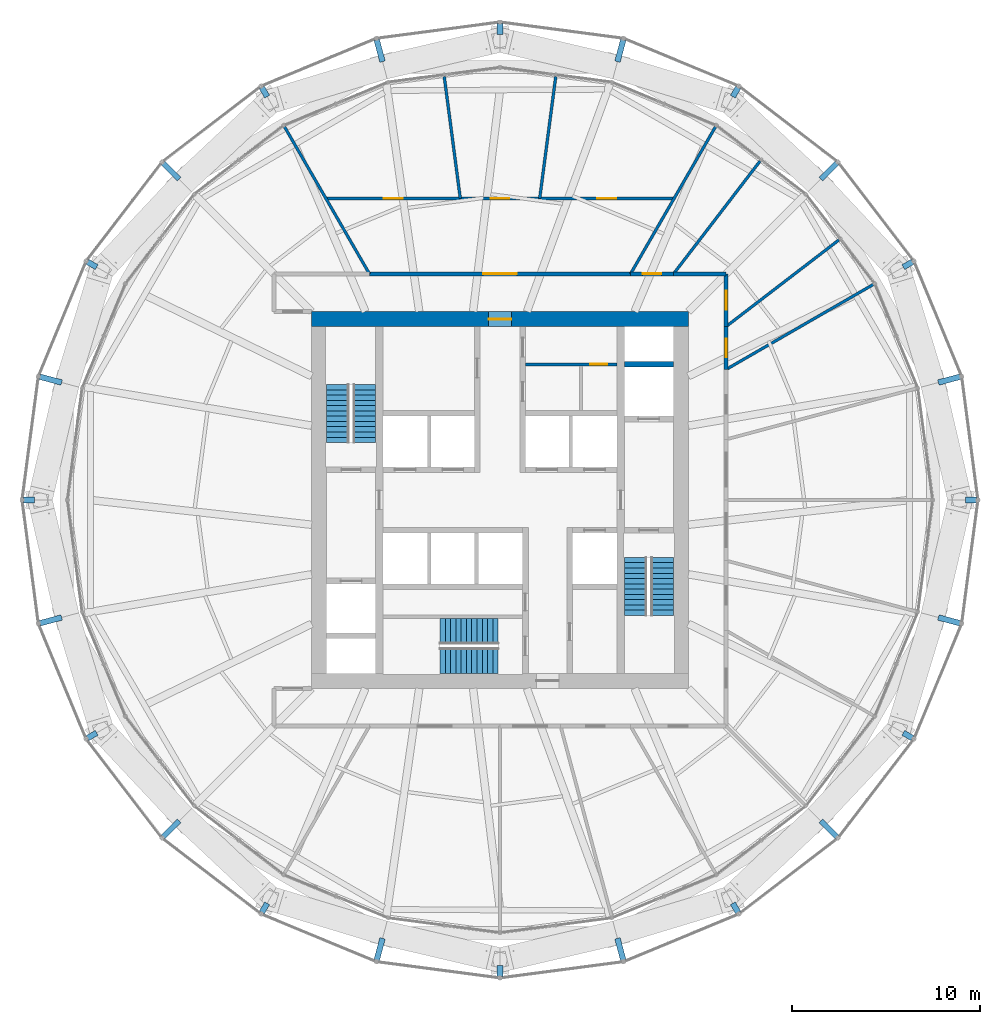
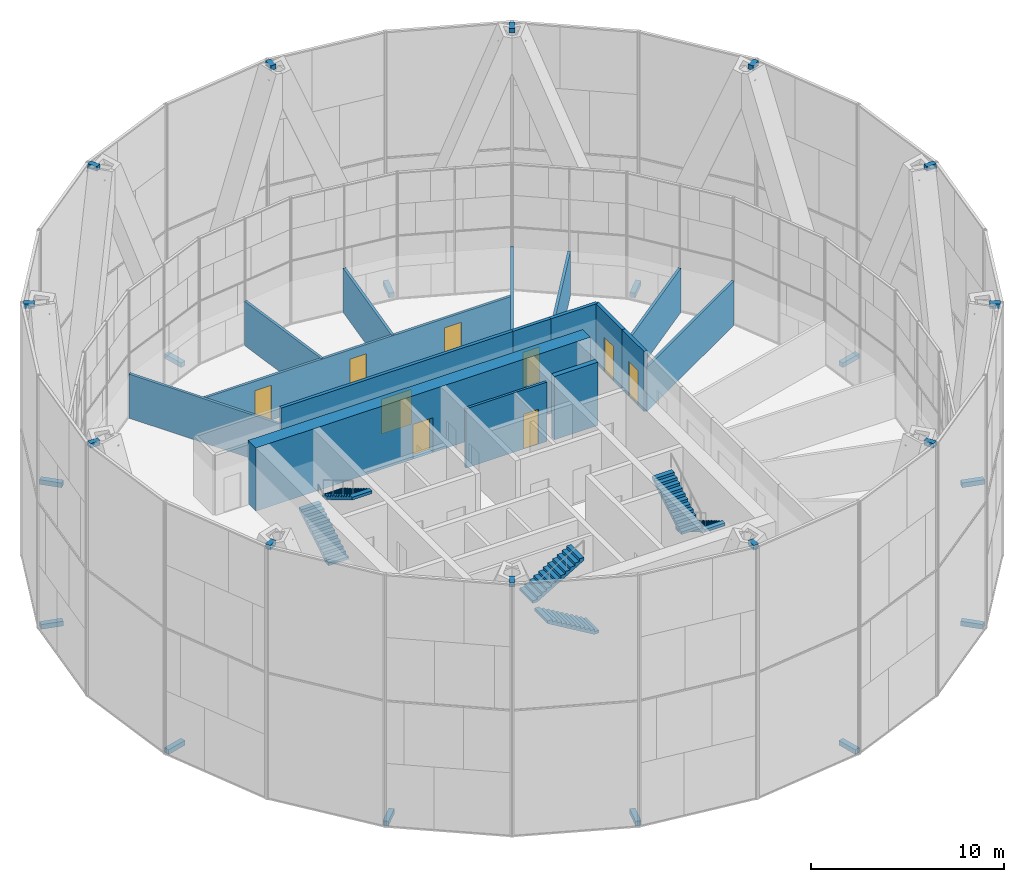
# One storey, part 21 of 22: 24 discrete accessories, 16 walls, 9 doors, 6 stair flights, 9 openings, 3 elements without a shape of their own.
"""IFC4 building model written with IfcOpenShell, lengths in metres."""

from ifc_helpers import new_model, si_unit, direction, frame, frame_2d, origin, origin_2d, place, context, subcontext, project, spatial, polyline, rectangle, outline, extrude, material, layer, layer_set, type_object, element, fill, aggregate, save


model = new_model("IFC4")

# Units and contexts
model_context = context("Model", 3, precision=1e-05, world=origin(), true_north=direction((0.0, 1.0)))
body_context = subcontext(model_context, "Body", "Model", "MODEL_VIEW")
ifc_project = project(units=[si_unit("LENGTHUNIT", "METRE"), si_unit("AREAUNIT", "SQUARE_METRE"), si_unit("VOLUMEUNIT", "CUBIC_METRE"), si_unit("PLANEANGLEUNIT", "RADIAN"), si_unit("MASSUNIT", "GRAM", prefix="KILO")], contexts=[model_context])

# Site, building, storey
site_placement = place(None, origin())
site = spatial("IfcSite", under=ifc_project, at=site_placement, CompositionType="ELEMENT")
building_placement = place(site_placement, origin())
building = spatial("IfcBuilding", under=site, at=building_placement, Name="Golbaran Civic Tower", CompositionType="ELEMENT")
storey_placement = place(building_placement, frame((0.0, 0.0, 37.0)))
storey = spatial("IfcBuildingStorey", under=building, at=storey_placement, Name="L08", CompositionType="ELEMENT", Elevation=37.0)

# Wall, opening, door
ifc_material_1 = material(Name="Concrete block", Category="concrete")
ifc_layer_1 = layer(ifc_material_1, 0.14990234375, Name="Concrete block")
ifc_layer_set_1 = layer_set([ifc_layer_1], Name="Concrete block")
wall_type_1 = type_object("IfcWallType", Name="BLOCKWORK PARTITION 150", PredefinedType="PARTITIONING", material=ifc_layer_set_1)
wall_1_placement = place(storey_placement, frame((1.35009765625, 7.199951171875, 0.0), z_axis=(0.0, 0.0, 1.0), x_axis=(1.0, 0.0, 0.0)))
wall_1 = element("IfcWall", 1, at=wall_1_placement, inside=storey, type_object=wall_type_1, Name="Toilet block partition TN1 L08", PredefinedType="PARTITIONING", context=body_context, shape_type="SweptSolid", body=[
    extrude(rectangle(XDim=4.849853515625, YDim=0.14990234375, at=frame_2d((2.4248046875, 0.0))), origin(), (0.0, 0.0, 1.0), 3.75),
])
opening_1_placement = place(wall_1_placement, frame((3.449951171875, 0.0, 0.0)))
opening_1 = element("IfcOpeningElement", 2, at=opening_1_placement, cuts=wall_1, Name="Opening L08.CLN", PredefinedType="OPENING", context=body_context, shape_type="SweptSolid", body=[
    extrude(rectangle(XDim=0.89990234375, YDim=2.199951171875, at=frame_2d((0.449951171875, 1.10009765625))), frame((0.0, 0.0849609375, 0.0), z_axis=(0.0, -1.0, 0.0), x_axis=(1.0, 0.0, 0.0)), (0.0, 0.0, 1.0), 0.169921875),
])
ifc_material_2 = material(Name="Timber door set in steel frame", Category="steel")
door_type_1 = type_object("IfcDoorType", Name="RISER DOOR 900x2200", OperationType="SINGLE_SWING_LEFT", PredefinedType="DOOR", material=ifc_material_2)
door_1_placement = place(opening_1_placement, origin())
door_1 = element("IfcDoor", 3, at=door_1_placement, inside=storey, type_object=door_type_1, Name="Housekeeping Store door", OperationType="SINGLE_SWING_RIGHT", OverallHeight=2.199951171875, OverallWidth=0.89990234375, PredefinedType="DOOR", context=body_context, shape_type="SweptSolid", body=[
    extrude(rectangle(XDim=0.89990234375, YDim=2.199951171875, at=frame_2d((0.449951171875, 1.10009765625))), frame((0.0, 0.02490234375, 0.0), z_axis=(0.0, -1.0, 0.0), x_axis=(1.0, 0.0, 0.0)), (0.0, 0.0, 1.0), 0.050048828125),
])
fill(opening_1, door_1)

ifc_material_3 = material(Name="Concrete C50/60", Category="concrete")
ifc_layer_2 = layer(ifc_material_3, 0.800048828125, Name="Concrete C50/60")
ifc_layer_set_2 = layer_set([ifc_layer_2], Name="Concrete C50/60")
wall_type_2 = type_object("IfcWallType", Name="CORE WALL CONCRETE 800", PredefinedType="SOLIDWALL", material=ifc_layer_set_2)
wall_2_placement = place(storey_placement, frame((-10.0, 9.60009765625, 0.0), z_axis=(0.0, 0.0, 1.0), x_axis=(1.0, 0.0, 0.0)))
wall_2 = element("IfcWall", 4, at=wall_2_placement, inside=storey, type_object=wall_type_2, Name="Core wall CN L08", PredefinedType="SOLIDWALL", context=body_context, shape_type="SweptSolid", body=[
    extrude(rectangle(XDim=20.0, YDim=0.800048828125, at=frame_2d((10.0, 0.0))), origin(), (0.0, 0.0, 1.0), 4.0),
])
opening_2_placement = place(wall_2_placement, frame((9.39990234375, 0.0, 0.0)))
opening_2 = element("IfcOpeningElement", 5, at=opening_2_placement, cuts=wall_2, Name="Opening L08.CN", PredefinedType="OPENING", context=body_context, shape_type="SweptSolid", body=[
    extrude(rectangle(XDim=1.199951171875, YDim=2.199951171875, at=frame_2d((0.60009765625, 1.10009765625))), frame((0.0, 0.409912109375, 0.0), z_axis=(0.0, -1.0, 0.0), x_axis=(1.0, 0.0, 0.0)), (0.0, 0.0, 1.0), 0.820068359375),
])
door_type_2 = type_object("IfcDoorType", Name="CORE DOOR 1200x2200", OperationType="DOUBLE_DOOR_SINGLE_SWING", PredefinedType="DOOR", material=ifc_material_2)
door_2_placement = place(opening_2_placement, origin())
door_2 = element("IfcDoor", 6, at=door_2_placement, inside=storey, type_object=door_type_2, Name="Core door north", OperationType="DOUBLE_DOOR_SINGLE_SWING", OverallHeight=2.199951171875, OverallWidth=1.199951171875, PredefinedType="DOOR", context=body_context, shape_type="SweptSolid", body=[
    extrude(rectangle(XDim=1.199951171875, YDim=2.199951171875, at=frame_2d((0.60009765625, 1.10009765625))), frame((0.0, 0.02490234375, 0.0), z_axis=(0.0, -1.0, 0.0), x_axis=(1.0, 0.0, 0.0)), (0.0, 0.0, 1.0), 0.050048828125),
])
fill(opening_2, door_2)

ifc_material_4 = material(Name="Gypsum board on steel studs, fire-rated", Category="steel")
ifc_layer_3 = layer(ifc_material_4, 0.199951171875, Name="Gypsum board on steel studs, fire-rated")
ifc_layer_set_3 = layer_set([ifc_layer_3], Name="Gypsum board on steel studs, fire-rated")
wall_type_3 = type_object("IfcWallType", Name="CORRIDOR WALL 200", PredefinedType="PARTITIONING", material=ifc_layer_set_3)
wall_3_placement = place(storey_placement, frame((12.0, 6.92822265625, 0.0), z_axis=(0.0, 0.0, 1.0), x_axis=(0.0, 1.0, 0.0)))
wall_3 = element("IfcWall", 7, at=wall_3_placement, inside=storey, type_object=wall_type_3, Name="Corridor wall L08", PredefinedType="PARTITIONING", context=body_context, shape_type="SweptSolid", body=[
    extrude(rectangle(XDim=2.27978515625, YDim=0.199951171875, at=frame_2d((1.139892578125, 0.0))), origin(), (0.0, 0.0, 1.0), 3.800048828125),
])
opening_3_placement = place(wall_3_placement, frame((0.639892578125, 0.0, 0.0)))
opening_3 = element("IfcOpeningElement", 8, at=opening_3_placement, cuts=wall_3, Name="Opening L08.08", PredefinedType="OPENING", context=body_context, shape_type="SweptSolid", body=[
    extrude(rectangle(XDim=1.0, YDim=2.199951171875, at=frame_2d((0.5, 1.10009765625))), frame((0.0, 0.10986328125, 0.0), z_axis=(0.0, -1.0, 0.0), x_axis=(1.0, 0.0, 0.0)), (0.0, 0.0, 1.0), 0.219970703125),
])
door_type_3 = type_object("IfcDoorType", Name="OFFICE DOOR 1000x2200", OperationType="SINGLE_SWING_LEFT", PredefinedType="DOOR", material=ifc_material_2)
door_3_placement = place(opening_3_placement, origin())
door_3 = element("IfcDoor", 9, at=door_3_placement, inside=storey, type_object=door_type_3, Name="Pantry door L08", OperationType="SINGLE_SWING_LEFT", OverallHeight=2.199951171875, OverallWidth=1.0, PredefinedType="DOOR", context=body_context, shape_type="SweptSolid", body=[
    extrude(rectangle(XDim=1.0, YDim=2.199951171875, at=frame_2d((0.5, 1.10009765625))), frame((0.0, 0.02490234375, 0.0), z_axis=(0.0, -1.0, 0.0), x_axis=(1.0, 0.0, 0.0)), (0.0, 0.0, 1.0), 0.050048828125),
])
fill(opening_3, door_3)

wall_4_placement = place(storey_placement, frame((12.0, 9.2080078125, 0.0), z_axis=(0.0, 0.0, 1.0), x_axis=(0.0, 1.0, 0.0)))
wall_4 = element("IfcWall", 10, at=wall_4_placement, inside=storey, type_object=wall_type_3, Name="Corridor wall L08", PredefinedType="PARTITIONING", context=body_context, shape_type="SweptSolid", body=[
    extrude(rectangle(XDim=2.7919921875, YDim=0.199951171875, at=frame_2d((1.39599609375, 0.0))), origin(), (0.0, 0.0, 1.0), 3.800048828125),
])
opening_4_placement = place(wall_4_placement, frame((0.89599609375, 0.0, 0.0)))
opening_4 = element("IfcOpeningElement", 11, at=opening_4_placement, cuts=wall_4, Name="Opening L08.09", PredefinedType="OPENING", context=body_context, shape_type="SweptSolid", body=[
    extrude(rectangle(XDim=1.0, YDim=2.199951171875, at=frame_2d((0.5, 1.10009765625))), frame((0.0, 0.10986328125, 0.0), z_axis=(0.0, -1.0, 0.0), x_axis=(1.0, 0.0, 0.0)), (0.0, 0.0, 1.0), 0.219970703125),
])
door_4_placement = place(opening_4_placement, origin())
door_4 = element("IfcDoor", 12, at=door_4_placement, inside=storey, type_object=door_type_3, Name="Prayer Room door L08", OperationType="SINGLE_SWING_LEFT", OverallHeight=2.199951171875, OverallWidth=1.0, PredefinedType="DOOR", context=body_context, shape_type="SweptSolid", body=[
    extrude(rectangle(XDim=1.0, YDim=2.199951171875, at=frame_2d((0.5, 1.10009765625))), frame((0.0, 0.02490234375, 0.0), z_axis=(0.0, -1.0, 0.0), x_axis=(1.0, 0.0, 0.0)), (0.0, 0.0, 1.0), 0.050048828125),
])
fill(opening_4, door_4)

# Wall
wall_5_placement = place(storey_placement, frame((12.0, 12.0, 0.0), z_axis=(0.0, 0.0, 1.0), x_axis=(-1.0, 0.0, 0.0)))
element("IfcWall", 13, at=wall_5_placement, inside=storey, type_object=wall_type_3, Name="Corridor wall L08", PredefinedType="PARTITIONING", context=body_context, shape_type="SweptSolid", body=[
    extrude(rectangle(XDim=2.7919921875, YDim=0.199951171875, at=frame_2d((1.39599609375, 0.0))), origin(), (0.0, 0.0, 1.0), 3.800048828125),
])

# Wall, opening, door
wall_6_placement = place(storey_placement, frame((9.2080078125, 12.0, 0.0), z_axis=(0.0, 0.0, 1.0), x_axis=(-1.0, 0.0, 0.0)))
wall_6 = element("IfcWall", 14, at=wall_6_placement, inside=storey, type_object=wall_type_3, Name="Corridor wall L08", PredefinedType="PARTITIONING", context=body_context, shape_type="SweptSolid", body=[
    extrude(rectangle(XDim=2.27978515625, YDim=0.199951171875, at=frame_2d((1.139892578125, 0.0))), origin(), (0.0, 0.0, 1.0), 3.800048828125),
])
opening_5_placement = place(wall_6_placement, frame((0.639892578125, 0.0, 0.0)))
opening_5 = element("IfcOpeningElement", 15, at=opening_5_placement, cuts=wall_6, Name="Opening L08.10", PredefinedType="OPENING", context=body_context, shape_type="SweptSolid", body=[
    extrude(rectangle(XDim=1.0, YDim=2.199951171875, at=frame_2d((0.5, 1.10009765625))), frame((0.0, 0.10986328125, 0.0), z_axis=(0.0, -1.0, 0.0), x_axis=(1.0, 0.0, 0.0)), (0.0, 0.0, 1.0), 0.219970703125),
])
door_5_placement = place(opening_5_placement, origin())
door_5 = element("IfcDoor", 16, at=door_5_placement, inside=storey, type_object=door_type_3, Name="Store door L08", OperationType="SINGLE_SWING_RIGHT", OverallHeight=2.199951171875, OverallWidth=1.0, PredefinedType="DOOR", context=body_context, shape_type="SweptSolid", body=[
    extrude(rectangle(XDim=1.0, YDim=2.199951171875, at=frame_2d((0.5, 1.10009765625))), frame((0.0, 0.02490234375, 0.0), z_axis=(0.0, -1.0, 0.0), x_axis=(1.0, 0.0, 0.0)), (0.0, 0.0, 1.0), 0.050048828125),
])
fill(opening_5, door_5)

wall_7_placement = place(storey_placement, frame((6.92822265625, 12.0, 0.0), z_axis=(0.0, 0.0, 1.0), x_axis=(-1.0, 0.0, 0.0)))
wall_7 = element("IfcWall", 17, at=wall_7_placement, inside=storey, type_object=wall_type_3, Name="Corridor wall L08", PredefinedType="PARTITIONING", context=body_context, shape_type="SweptSolid", body=[
    extrude(rectangle(XDim=13.8564453125, YDim=0.199951171875, at=frame_2d((6.92822265625, 0.0))), origin(), (0.0, 0.0, 1.0), 3.800048828125),
])
opening_6_placement = place(wall_7_placement, frame((6.0283203125, 0.0, 0.0)))
opening_6 = element("IfcOpeningElement", 18, at=opening_6_placement, cuts=wall_7, Name="Opening L08.11", PredefinedType="OPENING", context=body_context, shape_type="SweptSolid", body=[
    extrude(rectangle(XDim=1.800048828125, YDim=2.199951171875, at=frame_2d((0.89990234375, 1.10009765625))), frame((0.0, 0.10986328125, 0.0), z_axis=(0.0, -1.0, 0.0), x_axis=(1.0, 0.0, 0.0)), (0.0, 0.0, 1.0), 0.219970703125),
])
door_type_4 = type_object("IfcDoorType", Name="OFFICE DOUBLE DOOR 1800x2200", OperationType="DOUBLE_DOOR_SINGLE_SWING", PredefinedType="DOOR", material=ifc_material_2)
door_6_placement = place(opening_6_placement, origin())
door_6 = element("IfcDoor", 19, at=door_6_placement, inside=storey, type_object=door_type_4, Name="Secretariat door L08", OperationType="DOUBLE_DOOR_SINGLE_SWING", OverallHeight=2.199951171875, OverallWidth=1.800048828125, PredefinedType="DOOR", context=body_context, shape_type="SweptSolid", body=[
    extrude(rectangle(XDim=1.800048828125, YDim=2.199951171875, at=frame_2d((0.89990234375, 1.10009765625))), frame((0.0, 0.02490234375, 0.0), z_axis=(0.0, -1.0, 0.0), x_axis=(1.0, 0.0, 0.0)), (0.0, 0.0, 1.0), 0.050048828125),
])
fill(opening_6, door_6)

# Walls
ifc_material_5 = material(Name="Gypsum board on steel studs", Category="steel")
ifc_layer_4 = layer(ifc_material_5, 0.14990234375, Name="Gypsum board on steel studs")
ifc_layer_set_4 = layer_set([ifc_layer_4], Name="Gypsum board on steel studs")
wall_type_4 = type_object("IfcWallType", Name="OFFICE PARTITION 150", PredefinedType="PARTITIONING", material=ifc_layer_set_4)
wall_8_placement = place(storey_placement, frame((12.0, 6.92822265625, 0.0), z_axis=(0.0, 0.0, 1.0), x_axis=(0.866027720199, 0.49999598783, 0.0)))
element("IfcWall", 20, at=wall_8_placement, inside=storey, type_object=wall_type_4, Name="Partition 30 L08", PredefinedType="PARTITIONING", context=body_context, shape_type="SweptSolid", body=[
    extrude(rectangle(XDim=9.013671875, YDim=0.14990234375, at=frame_2d((4.5068359375, 0.0))), origin(), (0.0, 0.0, 1.0), 2.7900390625),
])
for number, where, z_axis, x_axis, name in (
    (21, (12.0, 9.2080078125, 0.0), (0.0, 0.0, 1.0), (0.793358000229, 0.608755356011, 0.0), "Partition 37.5 L08"),
    (22, (9.2080078125, 12.0, 0.0), (0.0, 0.0, 1.0), (0.608755356011, 0.793358000229, 0.0), "Partition 52.5 L08"),
):
    element("IfcWall", number, at=place(storey_placement, frame(where, z_axis=z_axis, x_axis=x_axis)), inside=storey, type_object=wall_type_4, Name=name, PredefinedType="PARTITIONING", context=body_context, shape_type="SweptSolid", body=[
        extrude(rectangle(XDim=7.548828125, YDim=0.14990234375, at=frame_2d((3.7744140625, 0.0))), origin(), (0.0, 0.0, 1.0), 2.7900390625),
    ])
for number, where, z_axis, x_axis, name in (
    (23, (6.92822265625, 12.0, 0.0), (0.0, 0.0, 1.0), (0.49999598783, 0.866027720199, 0.0), "Partition 60 L08"),
    (24, (-6.92822265625, 12.0, 0.0), (0.0, 0.0, 1.0), (-0.49999598783, 0.866027720199, 0.0), "Partition 120 L08"),
):
    element("IfcWall", number, at=place(storey_placement, frame(where, z_axis=z_axis, x_axis=x_axis)), inside=storey, type_object=wall_type_4, Name=name, PredefinedType="PARTITIONING", context=body_context, shape_type="SweptSolid", body=[
        extrude(rectangle(XDim=9.013671875, YDim=0.14990234375, at=frame_2d((4.5068359375, 0.0))), origin(), (0.0, 0.0, 1.0), 2.7900390625),
    ])

# Wall, openings, doors
wall_9_placement = place(storey_placement, frame((9.237548828125, 16.0, 0.0), z_axis=(0.0, 0.0, 1.0), x_axis=(-1.0, 0.0, 0.0)))
wall_9 = element("IfcWall", 25, at=wall_9_placement, inside=storey, type_object=wall_type_4, Name="Suite partition L08", PredefinedType="PARTITIONING", context=body_context, shape_type="SweptSolid", body=[
    extrude(rectangle(XDim=18.47509765625, YDim=0.14990234375, at=frame_2d((9.237548828125, 0.0))), origin(), (0.0, 0.0, 1.0), 2.7900390625),
])
opening_7_placement = place(wall_9_placement, frame((3.065673828125, 0.0, 0.0)))
opening_7 = element("IfcOpeningElement", 26, at=opening_7_placement, cuts=wall_9, Name="Opening L08.01", PredefinedType="OPENING", context=body_context, shape_type="SweptSolid", body=[
    extrude(rectangle(XDim=1.0, YDim=2.199951171875, at=frame_2d((0.5, 1.10009765625))), frame((0.0, 0.0849609375, 0.0), z_axis=(0.0, -1.0, 0.0), x_axis=(1.0, 0.0, 0.0)), (0.0, 0.0, 1.0), 0.169921875),
])
opening_8_placement = place(wall_9_placement, frame((8.737548828125, 0.0, 0.0)))
opening_8 = element("IfcOpeningElement", 27, at=opening_8_placement, cuts=wall_9, Name="Opening L08.02", PredefinedType="OPENING", context=body_context, shape_type="SweptSolid", body=[
    extrude(rectangle(XDim=1.0, YDim=2.199951171875, at=frame_2d((0.5, 1.10009765625))), frame((0.0, 0.0849609375, 0.0), z_axis=(0.0, -1.0, 0.0), x_axis=(1.0, 0.0, 0.0)), (0.0, 0.0, 1.0), 0.169921875),
])
opening_9_placement = place(wall_9_placement, frame((14.40966796875, 0.0, 0.0)))
opening_9 = element("IfcOpeningElement", 28, at=opening_9_placement, cuts=wall_9, Name="Opening L08.03", PredefinedType="OPENING", context=body_context, shape_type="SweptSolid", body=[
    extrude(rectangle(XDim=1.0, YDim=2.199951171875, at=frame_2d((0.5, 1.10009765625))), frame((0.0, 0.0849609375, 0.0), z_axis=(0.0, -1.0, 0.0), x_axis=(1.0, 0.0, 0.0)), (0.0, 0.0, 1.0), 0.169921875),
])
door_7_placement = place(opening_7_placement, origin())
door_7 = element("IfcDoor", 29, at=door_7_placement, inside=storey, type_object=door_type_3, Name="Office door L08", OperationType="SINGLE_SWING_LEFT", OverallHeight=2.199951171875, OverallWidth=1.0, PredefinedType="DOOR", context=body_context, shape_type="SweptSolid", body=[
    extrude(rectangle(XDim=1.0, YDim=2.199951171875, at=frame_2d((0.5, 1.10009765625))), frame((0.0, 0.02490234375, 0.0), z_axis=(0.0, -1.0, 0.0), x_axis=(1.0, 0.0, 0.0)), (0.0, 0.0, 1.0), 0.050048828125),
])
fill(opening_7, door_7)
door_8_placement = place(opening_8_placement, origin())
door_8 = element("IfcDoor", 30, at=door_8_placement, inside=storey, type_object=door_type_3, Name="Director's Office door L08", OperationType="SINGLE_SWING_RIGHT", OverallHeight=2.199951171875, OverallWidth=1.0, PredefinedType="DOOR", context=body_context, shape_type="SweptSolid", body=[
    extrude(rectangle(XDim=1.0, YDim=2.199951171875, at=frame_2d((0.5, 1.10009765625))), frame((0.0, 0.02490234375, 0.0), z_axis=(0.0, -1.0, 0.0), x_axis=(1.0, 0.0, 0.0)), (0.0, 0.0, 1.0), 0.050048828125),
])
fill(opening_8, door_8)
door_9_placement = place(opening_9_placement, origin())
door_9 = element("IfcDoor", 31, at=door_9_placement, inside=storey, type_object=door_type_3, Name="Director's Office door L08", OperationType="SINGLE_SWING_RIGHT", OverallHeight=2.199951171875, OverallWidth=1.0, PredefinedType="DOOR", context=body_context, shape_type="SweptSolid", body=[
    extrude(rectangle(XDim=1.0, YDim=2.199951171875, at=frame_2d((0.5, 1.10009765625))), frame((0.0, 0.02490234375, 0.0), z_axis=(0.0, -1.0, 0.0), x_axis=(1.0, 0.0, 0.0)), (0.0, 0.0, 1.0), 0.050048828125),
])
fill(opening_9, door_9)

# Walls
for number, where, z_axis, x_axis, name in (
    (32, (2.1064453125, 16.0, 0.0), (0.0, 0.0, 1.0), (0.130541469286, 0.99144284999, 0.0), "Partition 82.5 L08"),
    (33, (-2.1064453125, 16.0, 0.0), (0.0, 0.0, 1.0), (-0.130541469286, 0.99144284999, 0.0), "Partition 97.5 L08"),
):
    element("IfcWall", number, at=place(storey_placement, frame(where, z_axis=z_axis, x_axis=x_axis)), inside=storey, type_object=wall_type_4, Name=name, PredefinedType="PARTITIONING", context=body_context, shape_type="SweptSolid", body=[
        extrude(rectangle(XDim=6.536376953125, YDim=0.14990234375, at=frame_2d((3.26806640625, 0.0))), origin(), (0.0, 0.0, 1.0), 2.7900390625),
    ])
ifc_layer_5 = layer(ifc_material_3, 0.300048828125, Name="Concrete C50/60")
ifc_layer_set_5 = layer_set([ifc_layer_5], Name="Concrete C50/60")
wall_type_5 = type_object("IfcWallType", Name="SHAFT WALL CONCRETE 300", PredefinedType="SOLIDWALL", material=ifc_layer_set_5)
wall_10_placement = place(storey_placement, frame((6.60009765625, 7.199951171875, 0.0), z_axis=(0.0, 0.0, 1.0), x_axis=(1.0, 0.0, 0.0)))
element("IfcWall", 34, at=wall_10_placement, inside=storey, type_object=wall_type_5, Name="Core wall XE3 L08", PredefinedType="SOLIDWALL", context=body_context, shape_type="SweptSolid", body=[
    extrude(rectangle(XDim=2.599853515625, YDim=0.300048828125, at=frame_2d((1.2998046875, 0.0))), origin(), (0.0, 0.0, 1.0), 4.0),
])

# Stair, stair flights
ifc_material_6 = material(Name="Concrete C35/45", Category="concrete")
stair_type_1 = type_object("IfcStairType", Name="EXIT STAIR 2600 x 7450, 4000 RISE", PredefinedType="HALF_TURN_STAIR", material=ifc_material_6)
stair_1_placement = place(storey_placement, origin())
stair_1 = element("IfcStair", 35, at=stair_1_placement, inside=storey, type_object=stair_type_1, Name="Stair S1 L08", PredefinedType="HALF_TURN_STAIR")
stair_flight_type_1 = type_object("IfcStairFlightType", Name="STAIR FLIGHT 1200 WIDE", PredefinedType="STRAIGHT", material=ifc_material_6)
stair_flight_1_placement = place(storey_placement, frame((-8.60009765625, 3.050048828125, 0.0), z_axis=(0.0, 0.0, 1.0), x_axis=(0.0, 1.0, 0.0)))
stair_flight_1 = element("IfcStairFlight", 36, at=stair_flight_1_placement, type_object=stair_flight_type_1, Name="ST26074-40 flight 1", NumberOfRisers=12, NumberOfTreads=11, PredefinedType="STRAIGHT", RiserHeight=0.166666667, TreadLength=0.28, context=body_context, shape_type="SweptSolid", body=[
    extrude(outline(polyline([(0.0, 0.0), (0.0, 0.166748046875), (0.280029296875, 0.166748046875), (0.280029296875, 0.333251953125), (0.56005859375, 0.333251953125), (0.56005859375, 0.5), (0.840087890625, 0.5), (0.840087890625, 0.666748046875), (1.1201171875, 0.666748046875), (1.1201171875, 0.833251953125), (1.39990234375, 0.833251953125), (1.39990234375, 1.0), (1.679931640625, 1.0), (1.679931640625, 1.166748046875), (1.9599609375, 1.166748046875), (1.9599609375, 1.333251953125), (2.239990234375, 1.333251953125), (2.239990234375, 1.5), (2.52001953125, 1.5), (2.52001953125, 1.666748046875), (2.800048828125, 1.666748046875), (2.800048828125, 1.833251953125), (3.080078125, 1.833251953125), (3.080078125, 2.0), (3.080078125, 1.658935546875), (0.29296875, 0.0), (0.0, 0.0)])), frame((0.0, 0.60009765625, 0.0), z_axis=(0.0, -1.0, 0.0), x_axis=(1.0, 0.0, 0.0)), (0.0, 0.0, 1.0), 1.199951171875),
])
stair_flight_2_placement = place(storey_placement, frame((-7.199951171875, 6.1298828125, 2.0), z_axis=(0.0, 0.0, 1.0), x_axis=(0.0, -1.0, 0.0)))
stair_flight_2 = element("IfcStairFlight", 37, at=stair_flight_2_placement, type_object=stair_flight_type_1, Name="ST26074-40 flight 2", NumberOfRisers=12, NumberOfTreads=11, PredefinedType="STRAIGHT", RiserHeight=0.166666667, TreadLength=0.28, context=body_context, shape_type="SweptSolid", body=[
    extrude(outline(polyline([(0.0, 0.0), (0.0, 0.166748046875), (0.280029296875, 0.166748046875), (0.280029296875, 0.333251953125), (0.56005859375, 0.333251953125), (0.56005859375, 0.5), (0.840087890625, 0.5), (0.840087890625, 0.666748046875), (1.1201171875, 0.666748046875), (1.1201171875, 0.833251953125), (1.39990234375, 0.833251953125), (1.39990234375, 1.0), (1.679931640625, 1.0), (1.679931640625, 1.166748046875), (1.9599609375, 1.166748046875), (1.9599609375, 1.333251953125), (2.239990234375, 1.333251953125), (2.239990234375, 1.5), (2.52001953125, 1.5), (2.52001953125, 1.666748046875), (2.800048828125, 1.666748046875), (2.800048828125, 1.833251953125), (3.080078125, 1.833251953125), (3.080078125, 2.0), (3.080078125, 1.658935546875), (0.29296875, 0.0), (0.0, 0.0)])), frame((0.0, 0.60009765625, 0.0), z_axis=(0.0, -1.0, 0.0), x_axis=(1.0, 0.0, 0.0)), (0.0, 0.0, 1.0), 1.199951171875),
])
aggregate(stair_1, [stair_flight_1, stair_flight_2])

stair_2_placement = place(storey_placement, origin())
stair_2 = element("IfcStair", 38, at=stair_2_placement, inside=storey, type_object=stair_type_1, Name="Stair S2 L08", PredefinedType="HALF_TURN_STAIR")
stair_flight_3_placement = place(storey_placement, frame((8.60009765625, -3.050048828125, 0.0), z_axis=(0.0, 0.0, 1.0), x_axis=(0.0, -1.0, 0.0)))
stair_flight_3 = element("IfcStairFlight", 39, at=stair_flight_3_placement, type_object=stair_flight_type_1, Name="ST26074-40 flight 1", NumberOfRisers=12, NumberOfTreads=11, PredefinedType="STRAIGHT", RiserHeight=0.166666667, TreadLength=0.28, context=body_context, shape_type="SweptSolid", body=[
    extrude(outline(polyline([(0.0, 0.0), (0.0, 0.166748046875), (0.280029296875, 0.166748046875), (0.280029296875, 0.333251953125), (0.56005859375, 0.333251953125), (0.56005859375, 0.5), (0.840087890625, 0.5), (0.840087890625, 0.666748046875), (1.1201171875, 0.666748046875), (1.1201171875, 0.833251953125), (1.39990234375, 0.833251953125), (1.39990234375, 1.0), (1.679931640625, 1.0), (1.679931640625, 1.166748046875), (1.9599609375, 1.166748046875), (1.9599609375, 1.333251953125), (2.239990234375, 1.333251953125), (2.239990234375, 1.5), (2.52001953125, 1.5), (2.52001953125, 1.666748046875), (2.800048828125, 1.666748046875), (2.800048828125, 1.833251953125), (3.080078125, 1.833251953125), (3.080078125, 2.0), (3.080078125, 1.658935546875), (0.29296875, 0.0), (0.0, 0.0)])), frame((0.0, 0.60009765625, 0.0), z_axis=(0.0, -1.0, 0.0), x_axis=(1.0, 0.0, 0.0)), (0.0, 0.0, 1.0), 1.199951171875),
])
stair_flight_4_placement = place(storey_placement, frame((7.199951171875, -6.1298828125, 2.0), z_axis=(0.0, 0.0, 1.0), x_axis=(0.0, 1.0, 0.0)))
stair_flight_4 = element("IfcStairFlight", 40, at=stair_flight_4_placement, type_object=stair_flight_type_1, Name="ST26074-40 flight 2", NumberOfRisers=12, NumberOfTreads=11, PredefinedType="STRAIGHT", RiserHeight=0.166666667, TreadLength=0.28, context=body_context, shape_type="SweptSolid", body=[
    extrude(outline(polyline([(0.0, 0.0), (0.0, 0.166748046875), (0.280029296875, 0.166748046875), (0.280029296875, 0.333251953125), (0.56005859375, 0.333251953125), (0.56005859375, 0.5), (0.840087890625, 0.5), (0.840087890625, 0.666748046875), (1.1201171875, 0.666748046875), (1.1201171875, 0.833251953125), (1.39990234375, 0.833251953125), (1.39990234375, 1.0), (1.679931640625, 1.0), (1.679931640625, 1.166748046875), (1.9599609375, 1.166748046875), (1.9599609375, 1.333251953125), (2.239990234375, 1.333251953125), (2.239990234375, 1.5), (2.52001953125, 1.5), (2.52001953125, 1.666748046875), (2.800048828125, 1.666748046875), (2.800048828125, 1.833251953125), (3.080078125, 1.833251953125), (3.080078125, 2.0), (3.080078125, 1.658935546875), (0.29296875, 0.0), (0.0, 0.0)])), frame((0.0, 0.60009765625, 0.0), z_axis=(0.0, -1.0, 0.0), x_axis=(1.0, 0.0, 0.0)), (0.0, 0.0, 1.0), 1.199951171875),
])
aggregate(stair_2, [stair_flight_3, stair_flight_4])

stair_type_2 = type_object("IfcStairType", Name="EXIT STAIR 2900 x 7400, 4000 RISE", PredefinedType="HALF_TURN_STAIR", material=ifc_material_6)
stair_3_placement = place(storey_placement, origin())
stair_3 = element("IfcStair", 41, at=stair_3_placement, inside=storey, type_object=stair_type_2, Name="Stair S3 L08", PredefinedType="HALF_TURN_STAIR")
stair_flight_type_2 = type_object("IfcStairFlightType", Name="STAIR FLIGHT 1350 WIDE", PredefinedType="STRAIGHT", material=ifc_material_6)
stair_flight_5_placement = place(storey_placement, frame((-0.10009765625, -8.52490234375, 0.0), z_axis=(0.0, 0.0, 1.0), x_axis=(-1.0, 0.0, 0.0)))
stair_flight_5 = element("IfcStairFlight", 42, at=stair_flight_5_placement, type_object=stair_flight_type_2, Name="ST29074-40 flight 1", NumberOfRisers=12, NumberOfTreads=11, PredefinedType="STRAIGHT", RiserHeight=0.166666667, TreadLength=0.28, context=body_context, shape_type="SweptSolid", body=[
    extrude(outline(polyline([(0.0, 0.0), (0.0, 0.166748046875), (0.280029296875, 0.166748046875), (0.280029296875, 0.333251953125), (0.56005859375, 0.333251953125), (0.56005859375, 0.5), (0.840087890625, 0.5), (0.840087890625, 0.666748046875), (1.1201171875, 0.666748046875), (1.1201171875, 0.833251953125), (1.39990234375, 0.833251953125), (1.39990234375, 1.0), (1.679931640625, 1.0), (1.679931640625, 1.166748046875), (1.9599609375, 1.166748046875), (1.9599609375, 1.333251953125), (2.239990234375, 1.333251953125), (2.239990234375, 1.5), (2.52001953125, 1.5), (2.52001953125, 1.666748046875), (2.800048828125, 1.666748046875), (2.800048828125, 1.833251953125), (3.080078125, 1.833251953125), (3.080078125, 2.0), (3.080078125, 1.658935546875), (0.29296875, 0.0), (0.0, 0.0)])), frame((0.0, 0.675048828125, 0.0), z_axis=(0.0, -1.0, 0.0), x_axis=(1.0, 0.0, 0.0)), (0.0, 0.0, 1.0), 1.35009765625),
])
stair_flight_6_placement = place(storey_placement, frame((-3.179931640625, -6.97509765625, 2.0), z_axis=(0.0, 0.0, 1.0), x_axis=(1.0, 0.0, 0.0)))
stair_flight_6 = element("IfcStairFlight", 43, at=stair_flight_6_placement, type_object=stair_flight_type_2, Name="ST29074-40 flight 2", NumberOfRisers=12, NumberOfTreads=11, PredefinedType="STRAIGHT", RiserHeight=0.166666667, TreadLength=0.28, context=body_context, shape_type="SweptSolid", body=[
    extrude(outline(polyline([(0.0, 0.0), (0.0, 0.166748046875), (0.280029296875, 0.166748046875), (0.280029296875, 0.333251953125), (0.56005859375, 0.333251953125), (0.56005859375, 0.5), (0.840087890625, 0.5), (0.840087890625, 0.666748046875), (1.1201171875, 0.666748046875), (1.1201171875, 0.833251953125), (1.39990234375, 0.833251953125), (1.39990234375, 1.0), (1.679931640625, 1.0), (1.679931640625, 1.166748046875), (1.9599609375, 1.166748046875), (1.9599609375, 1.333251953125), (2.239990234375, 1.333251953125), (2.239990234375, 1.5), (2.52001953125, 1.5), (2.52001953125, 1.666748046875), (2.800048828125, 1.666748046875), (2.800048828125, 1.833251953125), (3.080078125, 1.833251953125), (3.080078125, 2.0), (3.080078125, 1.658935546875), (0.29296875, 0.0), (0.0, 0.0)])), frame((0.0, 0.675048828125, 0.0), z_axis=(0.0, -1.0, 0.0), x_axis=(1.0, 0.0, 0.0)), (0.0, 0.0, 1.0), 1.35009765625),
])
aggregate(stair_3, [stair_flight_5, stair_flight_6])

# Discrete accessories
ifc_material_7 = material(Name="Steel S355", Category="steel")
discrete_accessory_type = type_object("IfcDiscreteAccessoryType", Name="OUTER SKIN BRACKET", PredefinedType="BRACKET", material=ifc_material_7)
for number, where, z_axis, x_axis, name in (
    (44, (23.844482421875, 6.38916015625, -0.7099609375), (0.0, 0.0, 1.0), (0.965925826289, 0.258819045103, 0.0), "Outer skin bracket L08 node 1"),
    (45, (17.455322265625, 17.455322265625, -0.7099609375), (0.0, 0.0, 1.0), (0.707106781187, 0.707106781187, 0.0), "Outer skin bracket L08 node 2"),
    (46, (6.38916015625, 23.844482421875, -0.7099609375), (0.0, 0.0, 1.0), (0.258819045103, 0.965925826289, 0.0), "Outer skin bracket L08 node 3"),
    (47, (-6.38916015625, 23.844482421875, -0.7099609375), (0.0, 0.0, 1.0), (-0.258819045103, 0.965925826289, 0.0), "Outer skin bracket L08 node 4"),
    (48, (-17.455322265625, 17.455322265625, -0.7099609375), (0.0, 0.0, 1.0), (-0.707106781187, 0.707106781187, 0.0), "Outer skin bracket L08 node 5"),
    (49, (-23.844482421875, 6.38916015625, -0.7099609375), (0.0, 0.0, 1.0), (-0.965925826289, 0.258819045103, 0.0), "Outer skin bracket L08 node 6"),
    (50, (-23.844482421875, -6.38916015625, -0.7099609375), (0.0, 0.0, 1.0), (-0.965925826289, -0.258819045103, 0.0), "Outer skin bracket L08 node 7"),
    (51, (-17.455322265625, -17.455322265625, -0.7099609375), (0.0, 0.0, 1.0), (-0.707106781187, -0.707106781187, 0.0), "Outer skin bracket L08 node 8"),
    (52, (-6.38916015625, -23.844482421875, -0.7099609375), (0.0, 0.0, 1.0), (-0.258819045103, -0.965925826289, 0.0), "Outer skin bracket L08 node 9"),
    (53, (6.38916015625, -23.844482421875, -0.7099609375), (0.0, 0.0, 1.0), (0.258819045103, -0.965925826289, 0.0), "Outer skin bracket L08 node 10"),
    (54, (17.455322265625, -17.455322265625, -0.7099609375), (0.0, 0.0, 1.0), (0.707106781187, -0.707106781187, 0.0), "Outer skin bracket L08 node 11"),
    (55, (23.844482421875, -6.38916015625, -0.7099609375), (0.0, 0.0, 1.0), (0.965925826289, -0.258819045103, 0.0), "Outer skin bracket L08 node 12"),
):
    element("IfcDiscreteAccessory", number, at=place(storey_placement, frame(where, z_axis=z_axis, x_axis=x_axis)), inside=storey, type_object=discrete_accessory_type, Name=name, PredefinedType="BRACKET", context=body_context, shape_type="SweptSolid", body=[
        extrude(rectangle(XDim=1.200927734375, YDim=0.300048828125, at=origin_2d()), origin(), (0.0, 0.0, 1.0), 0.300048828125),
    ])
for number, where, z_axis, x_axis, name in (
    (56, (25.0009765625, 0.0, 14.98974609375), (0.0, 0.0, 1.0), (1.0, 0.0, 0.0), "Outer skin head bracket L08 node 1"),
    (57, (21.651611328125, 12.50048828125, 14.98974609375), (0.0, 0.0, 1.0), (0.866025403784, 0.5, 0.0), "Outer skin head bracket L08 node 2"),
    (58, (12.50048828125, 21.651611328125, 14.98974609375), (0.0, 0.0, 1.0), (0.5, 0.866025403784, 0.0), "Outer skin head bracket L08 node 3"),
    (59, (0.0, 25.0009765625, 14.98974609375), (0.0, 0.0, 1.0), (0.0, 1.0, 0.0), "Outer skin head bracket L08 node 4"),
    (60, (-12.50048828125, 21.651611328125, 14.98974609375), (0.0, 0.0, 1.0), (-0.5, 0.866025403784, 0.0), "Outer skin head bracket L08 node 5"),
    (61, (-21.651611328125, 12.50048828125, 14.98974609375), (0.0, 0.0, 1.0), (-0.866025403784, 0.5, 0.0), "Outer skin head bracket L08 node 6"),
    (62, (-25.0009765625, 0.0, 14.98974609375), (0.0, 0.0, 1.0), (-1.0, 0.0, 0.0), "Outer skin head bracket L08 node 7"),
    (63, (-21.651611328125, -12.50048828125, 14.98974609375), (0.0, 0.0, 1.0), (-0.866025403784, -0.5, 0.0), "Outer skin head bracket L08 node 8"),
    (64, (-12.50048828125, -21.651611328125, 14.98974609375), (0.0, 0.0, 1.0), (-0.5, -0.866025403784, 0.0), "Outer skin head bracket L08 node 9"),
    (65, (0.0, -25.0009765625, 14.98974609375), (0.0, 0.0, 1.0), (0.0, -1.0, 0.0), "Outer skin head bracket L08 node 10"),
    (66, (12.50048828125, -21.651611328125, 14.98974609375), (0.0, 0.0, 1.0), (0.5, -0.866025403784, 0.0), "Outer skin head bracket L08 node 11"),
    (67, (21.651611328125, -12.50048828125, 14.98974609375), (0.0, 0.0, 1.0), (0.866025403784, -0.5, 0.0), "Outer skin head bracket L08 node 12"),
):
    element("IfcDiscreteAccessory", number, at=place(storey_placement, frame(where, z_axis=z_axis, x_axis=x_axis)), inside=storey, type_object=discrete_accessory_type, Name=name, PredefinedType="BRACKET", context=body_context, shape_type="SweptSolid", body=[
        extrude(rectangle(XDim=0.570068359375, YDim=0.300048828125, at=origin_2d()), origin(), (0.0, 0.0, 1.0), 0.300048828125),
    ])

save(model, "model.ifc")
